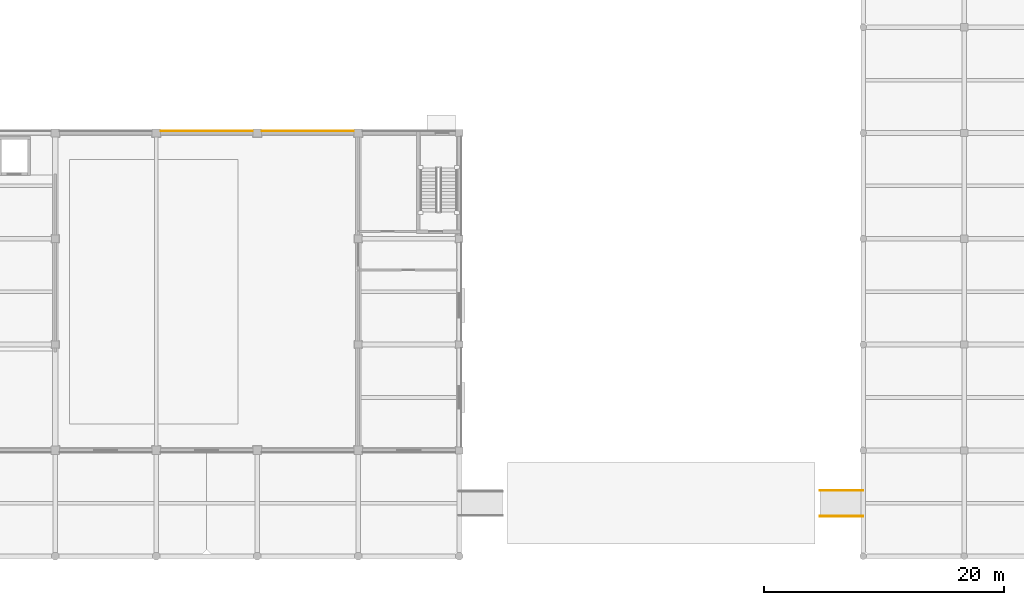
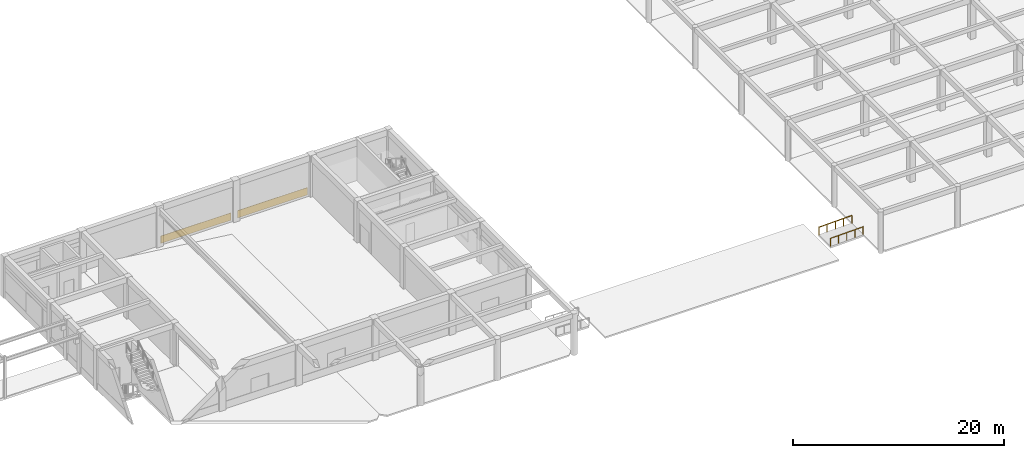
# One storey, part 49 of 58: 2 coverings, 2 railings.
"""IFC4 building model written with IfcOpenShell, lengths in metres."""

from ifc_helpers import new_model, si_unit, direction, frame, origin, origin_2d, place, context, subcontext, project, spatial, polyline, circle, outline, extrude, material, layer, layer_set, type_object, element, save


model = new_model("IFC4")

# Units and contexts
model_context = context("Model", 3, precision=1e-05, world=origin(), true_north=direction((0.0, 1.0)))
body_context = subcontext(model_context, "Body", "Model", "MODEL_VIEW")
ifc_project = project(units=[si_unit("LENGTHUNIT", "METRE"), si_unit("AREAUNIT", "SQUARE_METRE"), si_unit("VOLUMEUNIT", "CUBIC_METRE"), si_unit("PLANEANGLEUNIT", "RADIAN"), si_unit("MASSUNIT", "GRAM", prefix="KILO")], contexts=[model_context])

# Site, building, storey
site_placement = place(None, origin())
site = spatial("IfcSite", under=ifc_project, at=site_placement, CompositionType="ELEMENT")
building_placement = place(site_placement, origin())
building = spatial("IfcBuilding", under=site, at=building_placement, Name="Kemercrest Conservatory and Botanical Centre", CompositionType="ELEMENT")
storey_placement = place(building_placement, origin())
storey = spatial("IfcBuildingStorey", under=building, at=storey_placement, Name="L00", CompositionType="ELEMENT", Elevation=0.0)

# Coverings
ifc_material_1 = material(Name="Honed limestone almasik ashlar rainscreen", Category="masonry")
ifc_layer = layer(ifc_material_1, 0.0400390625)
ifc_layer_set = layer_set([ifc_layer], Name="Honed limestone almasik ashlar rainscreen")
covering_type = type_object("IfcCoveringType", Name="CV-CLD040", PredefinedType="CLADDING", material=ifc_layer_set)
covering_1_placement = place(storey_placement, origin())
element("IfcCovering", 1, at=covering_1_placement, inside=storey, type_object=covering_type, Name="Exterior stone spandrel cladding (WAL:L00:EXT-030)", PredefinedType="CLADDING", context=body_context, shape_type="SweptSolid", body=[
    extrude(outline(polyline([(91.639892578125, 43.35009765625), (91.639892578125, 43.389892578125), (83.9599609375, 43.389892578125), (83.9599609375, 43.35009765625), (91.639892578125, 43.35009765625)])), origin(), (0.0, 0.0, 1.0), 0.85009765625),
])
covering_2_placement = place(storey_placement, origin())
element("IfcCovering", 2, at=covering_2_placement, inside=storey, type_object=covering_type, Name="Exterior stone spandrel cladding (WAL:L00:EXT-031)", PredefinedType="CLADDING", context=body_context, shape_type="SweptSolid", body=[
    extrude(outline(polyline([(83.239990234375, 43.35009765625), (83.239990234375, 43.389892578125), (75.56005859375, 43.389892578125), (75.56005859375, 43.35009765625), (83.239990234375, 43.35009765625)])), origin(), (0.0, 0.0, 1.0), 0.85009765625),
])

# Railings
ifc_material_2 = material(Name="Architectural bronze-anodized steel balustrade", Category="steel")
railing_type = type_object("IfcRailingType", Name="HR-RMP092", PredefinedType="HANDRAIL", material=ifc_material_2)
for number, where, name in (
    (3, (130.39990234375, 11.324951171875, -0.10009765625), "Accessible ramp AR-04 handrail 1"),
    (4, (130.39990234375, 13.47509765625, -0.10009765625), "Accessible ramp AR-04 handrail 2"),
):
    element("IfcRailing", number, at=place(storey_placement, frame(where)), inside=storey, type_object=railing_type, Name=name, PredefinedType="HANDRAIL", context=body_context, shape_type="SweptSolid", body=[
        extrude(circle(Radius=0.02392578125, at=origin_2d()), frame((0.0, 0.0, 0.89599609375), z_axis=(0.999613688584, 0.0, 0.027793409217), x_axis=(0.0, 1.0, 0.0)), (0.0, 0.0, 1.0), 3.6015625),
        extrude(circle(Radius=0.02099609375, at=origin_2d()), origin(), (0.0, 0.0, 1.0), 0.871826171875),
        extrude(circle(Radius=0.02099609375, at=origin_2d()), frame((0.89990234375, 0.0, 0.02490234375)), (0.0, 0.0, 1.0), 0.871826171875),
        extrude(circle(Radius=0.02099609375, at=origin_2d()), frame((1.800048828125, 0.0, 0.050048828125)), (0.0, 0.0, 1.0), 0.871826171875),
        extrude(circle(Radius=0.02099609375, at=origin_2d()), frame((2.7001953125, 0.0, 0.0751953125)), (0.0, 0.0, 1.0), 0.871826171875),
        extrude(circle(Radius=0.02099609375, at=origin_2d()), frame((3.60009765625, 0.0, 0.10009765625)), (0.0, 0.0, 1.0), 0.871826171875),
    ])

save(model, "model.ifc")
